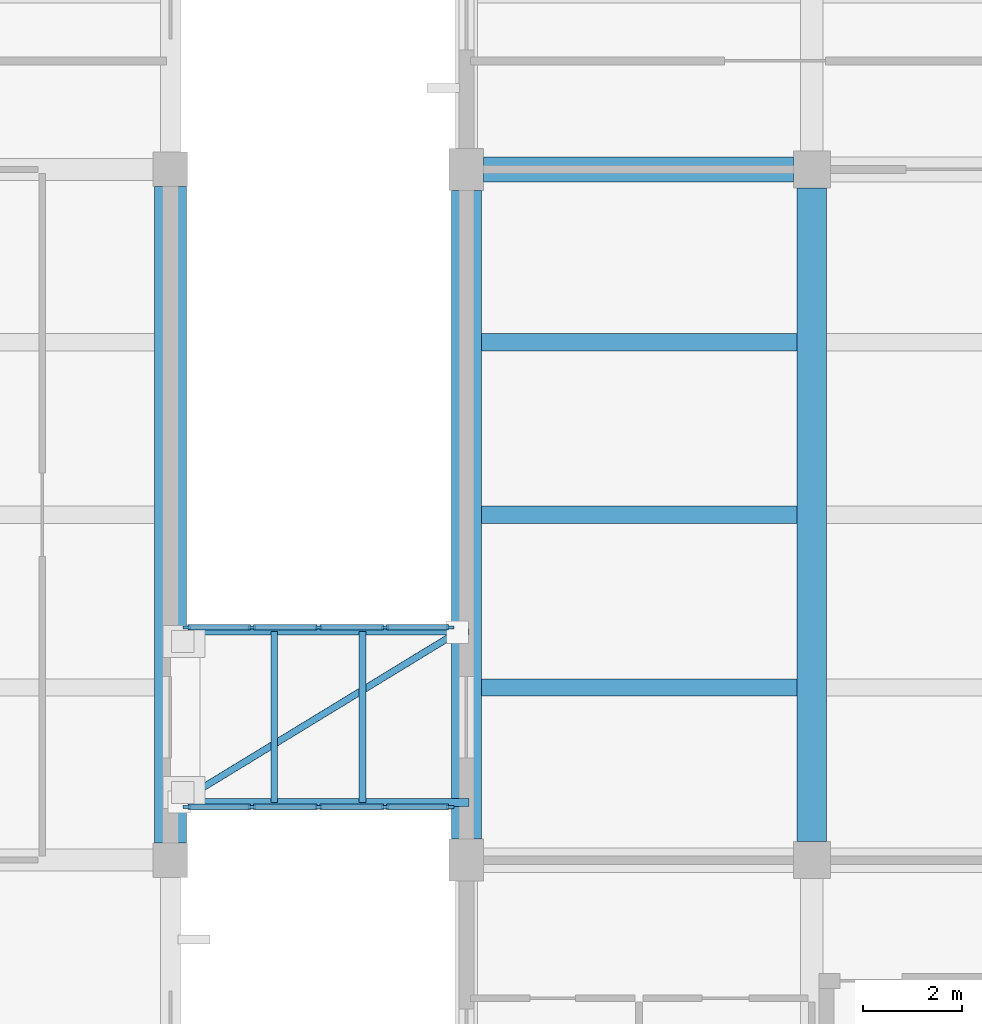
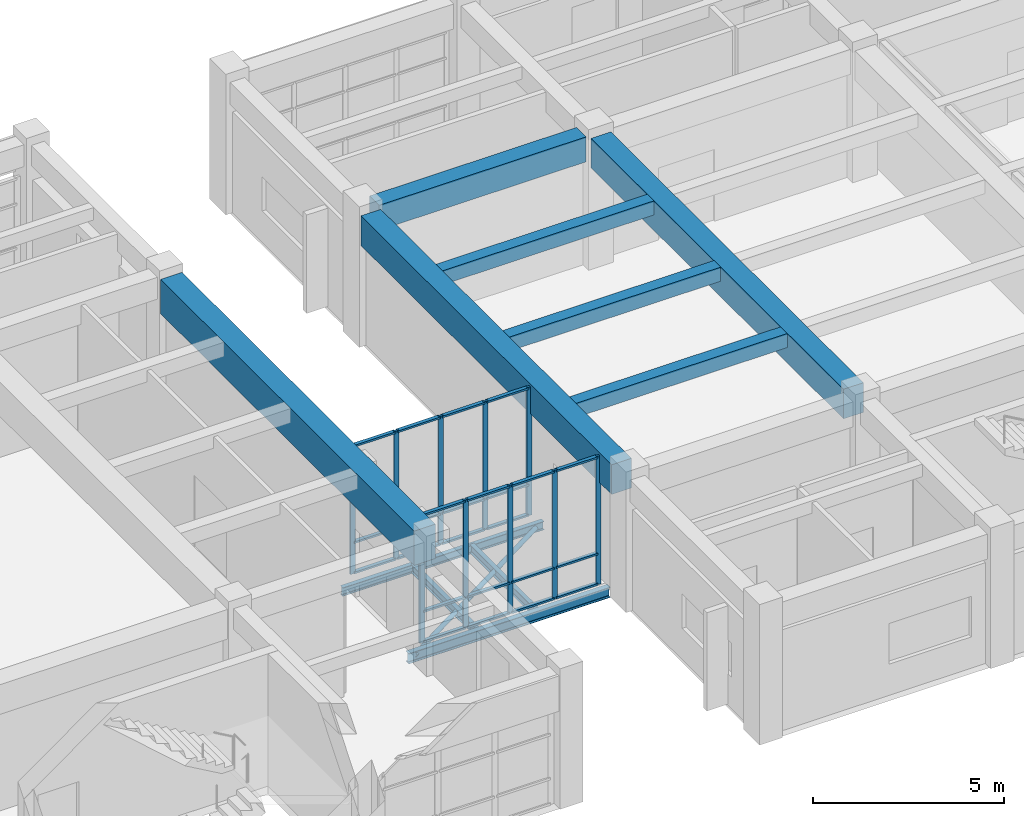
# One storey, part 15 of 70: 35 members, 11 beams, 2 elements without a shape of their own.
"""IFC4 building model written with IfcOpenShell, lengths in metres."""

from ifc_helpers import new_model, si_unit, direction, frame, origin, origin_2d, place, context, subcontext, project, spatial, rectangle, hollow_circle, i_section, extrude, material, layer, layer_set, material_profile, profile_set, type_object, element, aggregate, save


model = new_model("IFC4")

# Units and contexts
model_context = context("Model", 3, precision=1e-05, world=origin(), true_north=direction((0.0, 1.0)))
body_context = subcontext(model_context, "Body", "Model", "MODEL_VIEW")
ifc_project = project(units=[si_unit("LENGTHUNIT", "METRE"), si_unit("AREAUNIT", "SQUARE_METRE"), si_unit("VOLUMEUNIT", "CUBIC_METRE"), si_unit("PLANEANGLEUNIT", "RADIAN"), si_unit("MASSUNIT", "GRAM", prefix="KILO")], contexts=[model_context])

# Site, building, storey
site_placement = place(None, origin())
site = spatial("IfcSite", under=ifc_project, at=site_placement, CompositionType="ELEMENT")
building_placement = place(site_placement, origin())
building = spatial("IfcBuilding", under=site, at=building_placement, Name="Naurynzar Civic Courthouse", CompositionType="ELEMENT")
storey_placement = place(building_placement, frame((0.0, 0.0, 5.39990234375)))
storey = spatial("IfcBuildingStorey", under=building, at=storey_placement, Name="L02", CompositionType="ELEMENT", Elevation=5.39990234375)

# Beams
ifc_material_1 = material(Name="Concrete C40/50", Category="concrete")
ifc_material_profile_1 = material_profile(ifc_material_1, rectangle(XDim=0.60009765625, YDim=0.949951171875, at=origin_2d()), Name="PTB 600x950")
ifc_profile_set_1 = profile_set([ifc_material_profile_1], Name="Concrete C40/50")
beam_type_1 = type_object("IfcBeamType", Name="BM-PT-600x950", PredefinedType="T_BEAM", material=ifc_profile_set_1)
beam_1_placement = place(storey_placement, frame((62.0, 51.425048828125, 3.72509765625), z_axis=(0.0, 1.0, 0.0), x_axis=(-1.0, 0.0, 0.0)))
element("IfcBeam", 1, at=beam_1_placement, inside=storey, type_object=beam_type_1, Name="V2 girder Y-500 L02", PredefinedType="T_BEAM", context=body_context, shape_type="SweptSolid", body=[
    extrude(rectangle(XDim=0.60009765625, YDim=0.949951171875, at=origin_2d()), origin(), (0.0, 0.0, 1.0), 13.14990234375),
])
beam_2_placement = place(storey_placement, frame((69.0, 51.375, 3.72509765625), z_axis=(0.0, 1.0, 0.0), x_axis=(-1.0, 0.0, 0.0)))
element("IfcBeam", 2, at=beam_2_placement, inside=storey, type_object=beam_type_1, Name="V2 girder Y-503 L02", PredefinedType="T_BEAM", context=body_context, shape_type="SweptSolid", body=[
    extrude(rectangle(XDim=0.60009765625, YDim=0.949951171875, at=origin_2d()), origin(), (0.0, 0.0, 1.0), 13.25),
])
ifc_material_2 = material(Name="Concrete C40/50", Category="concrete")
ifc_material_profile_2 = material_profile(ifc_material_2, rectangle(XDim=0.64990234375, YDim=1.10009765625, at=origin_2d()), Name="PTB 650x1100")
ifc_profile_set_2 = profile_set([ifc_material_profile_2], Name="Concrete C40/50")
beam_type_2 = type_object("IfcBeamType", Name="BM-PT-650x1100", PredefinedType="T_BEAM", material=ifc_profile_set_2)
beam_3_placement = place(storey_placement, frame((56.0, 51.35009765625, 3.68017578125), z_axis=(0.0, 1.0, 0.0), x_axis=(-1.0, 0.0, 0.0)))
element("IfcBeam", 3, at=beam_3_placement, inside=storey, type_object=beam_type_2, Name="V1 girder Y-150 L02", PredefinedType="T_BEAM", context=body_context, shape_type="SweptSolid", body=[
    extrude(rectangle(XDim=0.64990234375, YDim=1.10009765625, at=origin_2d()), origin(), (0.0, 0.0, 1.0), 13.2998046875),
])
ifc_material_3 = material(Name="Concrete C40/50", Category="concrete")
ifc_material_profile_3 = material_profile(ifc_material_3, rectangle(XDim=0.35009765625, YDim=0.449951171875, at=origin_2d()), Name="RCB 350x450")
ifc_profile_set_3 = profile_set([ifc_material_profile_3], Name="Concrete C40/50")
beam_type_3 = type_object("IfcBeamType", Name="BM-RC-350x450", PredefinedType="BEAM", material=ifc_profile_set_3)
for number, where, z_axis, x_axis, name in (
    (4, (62.300048828125, 54.5, 3.97509765625), (1.0, 0.0, 0.0), (0.0, 1.0, 0.0), "V2 secondary rib 530 L02"),
    (5, (62.300048828125, 58.0, 3.97509765625), (1.0, 0.0, 0.0), (0.0, 1.0, 0.0), "V2 secondary rib 531 L02"),
    (6, (62.300048828125, 61.5, 3.97509765625), (1.0, 0.0, 0.0), (0.0, 1.0, 0.0), "V2 secondary rib 532 L02"),
):
    element("IfcBeam", number, at=place(storey_placement, frame(where, z_axis=z_axis, x_axis=x_axis)), inside=storey, type_object=beam_type_3, Name=name, PredefinedType="BEAM", context=body_context, shape_type="SweptSolid", body=[
        extrude(rectangle(XDim=0.35009765625, YDim=0.449951171875, at=origin_2d()), origin(), (0.0, 0.0, 1.0), 6.39990234375),
    ])
ifc_material_4 = material(Name="Concrete C40/50", Category="concrete")
ifc_material_profile_4 = material_profile(ifc_material_4, rectangle(XDim=0.5, YDim=0.800048828125, at=origin_2d()), Name="RCB 500x800")
ifc_profile_set_4 = profile_set([ifc_material_profile_4], Name="Concrete C40/50")
beam_type_4 = type_object("IfcBeamType", Name="BM-RC-500x800", PredefinedType="BEAM", material=ifc_profile_set_4)
beam_4_placement = place(storey_placement, frame((62.35009765625, 65.0, 3.800048828125), z_axis=(1.0, 0.0, 0.0), x_axis=(0.0, 1.0, 0.0)))
element("IfcBeam", 7, at=beam_4_placement, inside=storey, type_object=beam_type_4, Name="V2 beam X-483 L02", PredefinedType="BEAM", context=body_context, shape_type="SweptSolid", body=[
    extrude(rectangle(XDim=0.5, YDim=0.800048828125, at=origin_2d()), origin(), (0.0, 0.0, 1.0), 6.27490234375),
])
ifc_material_5 = material(Name="Steel S355", Category="steel")
ifc_material_profile_5 = material_profile(ifc_material_5, i_section(OverallWidth=0.135009765625, OverallDepth=0.27001953125, WebThickness=0.006591796875, FlangeThickness=0.01025390625, FilletRadius=0.014892578125, at=origin_2d()), Name="IPE 270")
ifc_profile_set_5 = profile_set([ifc_material_profile_5], Name="Steel S355")
beam_type_5 = type_object("IfcBeamType", Name="BM-STL-IPE270", PredefinedType="BEAM", material=ifc_profile_set_5)
beam_5_placement = place(storey_placement, frame((55.949951171875, 55.6298828125, -0.375), z_axis=(1.0, 0.0, 0.0), x_axis=(0.0, 1.0, 0.0)))
element("IfcBeam", 8, at=beam_5_placement, inside=storey, type_object=beam_type_5, Name="BR-N1 edge steel beam L02.2", PredefinedType="BEAM", context=body_context, shape_type="SweptSolid", body=[
    extrude(i_section(OverallWidth=0.135009765625, OverallDepth=0.27001953125, WebThickness=0.006591796875, FlangeThickness=0.01025390625, FilletRadius=0.014892578125, at=origin_2d()), origin(), (0.0, 0.0, 1.0), 6.10009765625),
])
for number, where, z_axis, x_axis, name in (
    (9, (58.10595703125, 52.169921875, -0.375), (0.0, 1.0, 0.0), (-1.0, 0.0, 0.0), "BR-N1 deck cross-beam L02.1"),
    (10, (59.89404296875, 52.169921875, -0.375), (0.0, 1.0, 0.0), (-1.0, 0.0, 0.0), "BR-N1 deck cross-beam L02.2"),
):
    element("IfcBeam", number, at=place(storey_placement, frame(where, z_axis=z_axis, x_axis=x_axis)), inside=storey, type_object=beam_type_5, Name=name, PredefinedType="BEAM", context=body_context, shape_type="SweptSolid", body=[
        extrude(i_section(OverallWidth=0.135009765625, OverallDepth=0.27001953125, WebThickness=0.006591796875, FlangeThickness=0.01025390625, FilletRadius=0.014892578125, at=origin_2d()), origin(), (0.0, 0.0, 1.0), 3.4599609375),
    ])
ifc_material_6 = material(Name="Steel S355", Category="steel")
ifc_material_profile_6 = material_profile(ifc_material_6, i_section(OverallWidth=0.159912109375, OverallDepth=0.330078125, WebThickness=0.007568359375, FlangeThickness=0.011474609375, FilletRadius=0.01806640625, at=origin_2d()), Name="IPE 330")
ifc_profile_set_6 = profile_set([ifc_material_profile_6], Name="Steel S355")
beam_type_6 = type_object("IfcBeamType", Name="BM-STL-IPE330", PredefinedType="BEAM", material=ifc_profile_set_6)
beam_6_placement = place(storey_placement, frame((55.949951171875, 52.169921875, -0.40478515625), z_axis=(1.0, 0.0, 0.0), x_axis=(0.0, 1.0, 0.0)))
element("IfcBeam", 11, at=beam_6_placement, inside=storey, type_object=beam_type_6, Name="BR-N1 edge steel beam L02.1", PredefinedType="BEAM", context=body_context, shape_type="SweptSolid", body=[
    extrude(i_section(OverallWidth=0.159912109375, OverallDepth=0.330078125, WebThickness=0.007568359375, FlangeThickness=0.011474609375, FilletRadius=0.01806640625, at=origin_2d()), origin(), (0.0, 0.0, 1.0), 6.10009765625),
])

# Curtain wall, members
ifc_material_7 = material(Name="Aluminium 6063-T6", Category="aluminium")
ifc_layer = layer(ifc_material_7, 0.14990234375)
ifc_layer_set = layer_set([ifc_layer], Name="CW-BRIDGE-1500")
curtain_wall_type = type_object("IfcCurtainWallType", Name="CW-BRIDGE-1500", PredefinedType="USERDEFINED", material=ifc_layer_set)
curtain_wall_1_placement = place(storey_placement, origin())
curtain_wall_1 = element("IfcCurtainWall", 12, at=curtain_wall_1_placement, inside=storey, type_object=curtain_wall_type, Name="BR-N1 glazed bridge screen L02.1", ObjectType="GLAZED BRIDGE SCREEN", PredefinedType="USERDEFINED")
ifc_material_8 = material(Name="Aluminium 6063-T6", Category="aluminium")
ifc_material_profile_7 = material_profile(ifc_material_8, rectangle(XDim=0.06005859375, YDim=0.14990234375, at=origin_2d()), Name="ALU MULLION 60x150")
ifc_profile_set_7 = profile_set([ifc_material_profile_7], Name="Aluminium 6063-T6")
member_type_1 = type_object("IfcMemberType", Name="CWM-60x150", PredefinedType="MULLION", material=ifc_profile_set_7)
member_1_placement = place(storey_placement, frame((56.330078125, 52.080078125, 0.0), z_axis=(0.0, 0.0, 1.0), x_axis=(0.0, 1.0, 0.0)))
member_1 = element("IfcMember", 13, at=member_1_placement, type_object=member_type_1, Name="CW-03 mullion 1", PredefinedType="MULLION", context=body_context, shape_type="SweptSolid", body=[
    extrude(rectangle(XDim=0.06005859375, YDim=0.14990234375, at=origin_2d()), origin(), (0.0, 0.0, 1.0), 4.1201171875),
])
member_2_placement = place(storey_placement, frame((57.64990234375, 52.080078125, 0.0), z_axis=(0.0, 0.0, 1.0), x_axis=(0.0, 1.0, 0.0)))
member_2 = element("IfcMember", 14, at=member_2_placement, type_object=member_type_1, Name="CW-03 mullion 2", PredefinedType="MULLION", context=body_context, shape_type="SweptSolid", body=[
    extrude(rectangle(XDim=0.06005859375, YDim=0.14990234375, at=origin_2d()), origin(), (0.0, 0.0, 1.0), 4.1201171875),
])
member_3_placement = place(storey_placement, frame((59.0, 52.080078125, 0.0), z_axis=(0.0, 0.0, 1.0), x_axis=(0.0, 1.0, 0.0)))
member_3 = element("IfcMember", 15, at=member_3_placement, type_object=member_type_1, Name="CW-03 mullion 3", PredefinedType="MULLION", context=body_context, shape_type="SweptSolid", body=[
    extrude(rectangle(XDim=0.06005859375, YDim=0.14990234375, at=origin_2d()), origin(), (0.0, 0.0, 1.0), 4.1201171875),
])
member_4_placement = place(storey_placement, frame((60.35009765625, 52.080078125, 0.0), z_axis=(0.0, 0.0, 1.0), x_axis=(0.0, 1.0, 0.0)))
member_4 = element("IfcMember", 16, at=member_4_placement, type_object=member_type_1, Name="CW-03 mullion 4", PredefinedType="MULLION", context=body_context, shape_type="SweptSolid", body=[
    extrude(rectangle(XDim=0.06005859375, YDim=0.14990234375, at=origin_2d()), origin(), (0.0, 0.0, 1.0), 4.1201171875),
])
member_5_placement = place(storey_placement, frame((61.669921875, 52.080078125, 0.0), z_axis=(0.0, 0.0, 1.0), x_axis=(0.0, 1.0, 0.0)))
member_5 = element("IfcMember", 17, at=member_5_placement, type_object=member_type_1, Name="CW-03 mullion 5", PredefinedType="MULLION", context=body_context, shape_type="SweptSolid", body=[
    extrude(rectangle(XDim=0.06005859375, YDim=0.14990234375, at=origin_2d()), origin(), (0.0, 0.0, 1.0), 4.1201171875),
])

curtain_wall_2_placement = place(storey_placement, origin())
curtain_wall_2 = element("IfcCurtainWall", 18, at=curtain_wall_2_placement, inside=storey, type_object=curtain_wall_type, Name="BR-N1 glazed bridge screen L02.2", ObjectType="GLAZED BRIDGE SCREEN", PredefinedType="USERDEFINED")
member_6_placement = place(storey_placement, frame((61.669921875, 55.719970703125, 0.0), z_axis=(0.0, 0.0, 1.0), x_axis=(0.0, -1.0, 0.0)))
member_6 = element("IfcMember", 19, at=member_6_placement, type_object=member_type_1, Name="CW-03 mullion 1", PredefinedType="MULLION", context=body_context, shape_type="SweptSolid", body=[
    extrude(rectangle(XDim=0.06005859375, YDim=0.14990234375, at=origin_2d()), origin(), (0.0, 0.0, 1.0), 4.1201171875),
])
member_7_placement = place(storey_placement, frame((60.35009765625, 55.719970703125, 0.0), z_axis=(0.0, 0.0, 1.0), x_axis=(0.0, -1.0, 0.0)))
member_7 = element("IfcMember", 20, at=member_7_placement, type_object=member_type_1, Name="CW-03 mullion 2", PredefinedType="MULLION", context=body_context, shape_type="SweptSolid", body=[
    extrude(rectangle(XDim=0.06005859375, YDim=0.14990234375, at=origin_2d()), origin(), (0.0, 0.0, 1.0), 4.1201171875),
])
member_8_placement = place(storey_placement, frame((59.0, 55.719970703125, 0.0), z_axis=(0.0, 0.0, 1.0), x_axis=(0.0, -1.0, 0.0)))
member_8 = element("IfcMember", 21, at=member_8_placement, type_object=member_type_1, Name="CW-03 mullion 3", PredefinedType="MULLION", context=body_context, shape_type="SweptSolid", body=[
    extrude(rectangle(XDim=0.06005859375, YDim=0.14990234375, at=origin_2d()), origin(), (0.0, 0.0, 1.0), 4.1201171875),
])
member_9_placement = place(storey_placement, frame((57.64990234375, 55.719970703125, 0.0), z_axis=(0.0, 0.0, 1.0), x_axis=(0.0, -1.0, 0.0)))
member_9 = element("IfcMember", 22, at=member_9_placement, type_object=member_type_1, Name="CW-03 mullion 4", PredefinedType="MULLION", context=body_context, shape_type="SweptSolid", body=[
    extrude(rectangle(XDim=0.06005859375, YDim=0.14990234375, at=origin_2d()), origin(), (0.0, 0.0, 1.0), 4.1201171875),
])
member_10_placement = place(storey_placement, frame((56.330078125, 55.719970703125, 0.0), z_axis=(0.0, 0.0, 1.0), x_axis=(0.0, -1.0, 0.0)))
member_10 = element("IfcMember", 23, at=member_10_placement, type_object=member_type_1, Name="CW-03 mullion 5", PredefinedType="MULLION", context=body_context, shape_type="SweptSolid", body=[
    extrude(rectangle(XDim=0.06005859375, YDim=0.14990234375, at=origin_2d()), origin(), (0.0, 0.0, 1.0), 4.1201171875),
])

# Member
ifc_material_9 = material(Name="Aluminium 6063-T6", Category="aluminium")
ifc_material_profile_8 = material_profile(ifc_material_9, rectangle(XDim=0.110107421875, YDim=0.06005859375, at=origin_2d()), Name="ALU TRANSOM 60x110")
ifc_profile_set_8 = profile_set([ifc_material_profile_8], Name="Aluminium 6063-T6")
member_type_2 = type_object("IfcMemberType", Name="CWT-60x110", PredefinedType="USERDEFINED", material=ifc_profile_set_8)
member_11_placement = place(storey_placement, frame((56.360107421875, 52.080078125, 0.030029296875), z_axis=(1.0, 0.0, 0.0), x_axis=(0.0, 1.0, 0.0)))
member_11 = element("IfcMember", 24, at=member_11_placement, type_object=member_type_2, Name="CW-03 transom 1.1", ObjectType="TRANSOM", PredefinedType="USERDEFINED", context=body_context, shape_type="SweptSolid", body=[
    extrude(rectangle(XDim=0.110107421875, YDim=0.06005859375, at=origin_2d()), origin(), (0.0, 0.0, 1.0), 1.260009765625),
])

member_12_placement = place(storey_placement, frame((56.360107421875, 52.080078125, 1.0), z_axis=(1.0, 0.0, 0.0), x_axis=(0.0, 1.0, 0.0)))
member_12 = element("IfcMember", 25, at=member_12_placement, type_object=member_type_2, Name="CW-03 transom 1.2", ObjectType="TRANSOM", PredefinedType="USERDEFINED", context=body_context, shape_type="SweptSolid", body=[
    extrude(rectangle(XDim=0.110107421875, YDim=0.06005859375, at=origin_2d()), origin(), (0.0, 0.0, 1.0), 1.260009765625),
])

member_13_placement = place(storey_placement, frame((56.360107421875, 52.080078125, 4.090087890625), z_axis=(1.0, 0.0, 0.0), x_axis=(0.0, 1.0, 0.0)))
member_13 = element("IfcMember", 26, at=member_13_placement, type_object=member_type_2, Name="CW-03 transom 1.3", ObjectType="TRANSOM", PredefinedType="USERDEFINED", context=body_context, shape_type="SweptSolid", body=[
    extrude(rectangle(XDim=0.110107421875, YDim=0.06005859375, at=origin_2d()), origin(), (0.0, 0.0, 1.0), 1.260009765625),
])

member_14_placement = place(storey_placement, frame((57.679931640625, 52.080078125, 0.030029296875), z_axis=(1.0, 0.0, 0.0), x_axis=(0.0, 1.0, 0.0)))
member_14 = element("IfcMember", 27, at=member_14_placement, type_object=member_type_2, Name="CW-03 transom 2.1", ObjectType="TRANSOM", PredefinedType="USERDEFINED", context=body_context, shape_type="SweptSolid", body=[
    extrude(rectangle(XDim=0.110107421875, YDim=0.06005859375, at=origin_2d()), origin(), (0.0, 0.0, 1.0), 1.2900390625),
])

member_15_placement = place(storey_placement, frame((57.679931640625, 52.080078125, 1.0), z_axis=(1.0, 0.0, 0.0), x_axis=(0.0, 1.0, 0.0)))
member_15 = element("IfcMember", 28, at=member_15_placement, type_object=member_type_2, Name="CW-03 transom 2.2", ObjectType="TRANSOM", PredefinedType="USERDEFINED", context=body_context, shape_type="SweptSolid", body=[
    extrude(rectangle(XDim=0.110107421875, YDim=0.06005859375, at=origin_2d()), origin(), (0.0, 0.0, 1.0), 1.2900390625),
])

member_16_placement = place(storey_placement, frame((57.679931640625, 52.080078125, 4.090087890625), z_axis=(1.0, 0.0, 0.0), x_axis=(0.0, 1.0, 0.0)))
member_16 = element("IfcMember", 29, at=member_16_placement, type_object=member_type_2, Name="CW-03 transom 2.3", ObjectType="TRANSOM", PredefinedType="USERDEFINED", context=body_context, shape_type="SweptSolid", body=[
    extrude(rectangle(XDim=0.110107421875, YDim=0.06005859375, at=origin_2d()), origin(), (0.0, 0.0, 1.0), 1.2900390625),
])

member_17_placement = place(storey_placement, frame((59.030029296875, 52.080078125, 0.030029296875), z_axis=(1.0, 0.0, 0.0), x_axis=(0.0, 1.0, 0.0)))
member_17 = element("IfcMember", 30, at=member_17_placement, type_object=member_type_2, Name="CW-03 transom 3.1", ObjectType="TRANSOM", PredefinedType="USERDEFINED", context=body_context, shape_type="SweptSolid", body=[
    extrude(rectangle(XDim=0.110107421875, YDim=0.06005859375, at=origin_2d()), origin(), (0.0, 0.0, 1.0), 1.2900390625),
])

member_18_placement = place(storey_placement, frame((59.030029296875, 52.080078125, 1.0), z_axis=(1.0, 0.0, 0.0), x_axis=(0.0, 1.0, 0.0)))
member_18 = element("IfcMember", 31, at=member_18_placement, type_object=member_type_2, Name="CW-03 transom 3.2", ObjectType="TRANSOM", PredefinedType="USERDEFINED", context=body_context, shape_type="SweptSolid", body=[
    extrude(rectangle(XDim=0.110107421875, YDim=0.06005859375, at=origin_2d()), origin(), (0.0, 0.0, 1.0), 1.2900390625),
])

member_19_placement = place(storey_placement, frame((59.030029296875, 52.080078125, 4.090087890625), z_axis=(1.0, 0.0, 0.0), x_axis=(0.0, 1.0, 0.0)))
member_19 = element("IfcMember", 32, at=member_19_placement, type_object=member_type_2, Name="CW-03 transom 3.3", ObjectType="TRANSOM", PredefinedType="USERDEFINED", context=body_context, shape_type="SweptSolid", body=[
    extrude(rectangle(XDim=0.110107421875, YDim=0.06005859375, at=origin_2d()), origin(), (0.0, 0.0, 1.0), 1.2900390625),
])

member_20_placement = place(storey_placement, frame((60.3798828125, 52.080078125, 0.030029296875), z_axis=(1.0, 0.0, 0.0), x_axis=(0.0, 1.0, 0.0)))
member_20 = element("IfcMember", 33, at=member_20_placement, type_object=member_type_2, Name="CW-03 transom 4.1", ObjectType="TRANSOM", PredefinedType="USERDEFINED", context=body_context, shape_type="SweptSolid", body=[
    extrude(rectangle(XDim=0.110107421875, YDim=0.06005859375, at=origin_2d()), origin(), (0.0, 0.0, 1.0), 1.260009765625),
])

member_21_placement = place(storey_placement, frame((60.3798828125, 52.080078125, 1.0), z_axis=(1.0, 0.0, 0.0), x_axis=(0.0, 1.0, 0.0)))
member_21 = element("IfcMember", 34, at=member_21_placement, type_object=member_type_2, Name="CW-03 transom 4.2", ObjectType="TRANSOM", PredefinedType="USERDEFINED", context=body_context, shape_type="SweptSolid", body=[
    extrude(rectangle(XDim=0.110107421875, YDim=0.06005859375, at=origin_2d()), origin(), (0.0, 0.0, 1.0), 1.260009765625),
])

member_22_placement = place(storey_placement, frame((60.3798828125, 52.080078125, 4.090087890625), z_axis=(1.0, 0.0, 0.0), x_axis=(0.0, 1.0, 0.0)))
member_22 = element("IfcMember", 35, at=member_22_placement, type_object=member_type_2, Name="CW-03 transom 4.3", ObjectType="TRANSOM", PredefinedType="USERDEFINED", context=body_context, shape_type="SweptSolid", body=[
    extrude(rectangle(XDim=0.110107421875, YDim=0.06005859375, at=origin_2d()), origin(), (0.0, 0.0, 1.0), 1.260009765625),
])

aggregate(curtain_wall_1, [member_1, member_2, member_3, member_4, member_5, member_11, member_12, member_13, member_14, member_15, member_16, member_17, member_18, member_19, member_20, member_21, member_22])

member_23_placement = place(storey_placement, frame((61.639892578125, 55.719970703125, 0.030029296875), z_axis=(-1.0, 0.0, 0.0), x_axis=(0.0, -1.0, 0.0)))
member_23 = element("IfcMember", 36, at=member_23_placement, type_object=member_type_2, Name="CW-03 transom 1.1", ObjectType="TRANSOM", PredefinedType="USERDEFINED", context=body_context, shape_type="SweptSolid", body=[
    extrude(rectangle(XDim=0.110107421875, YDim=0.06005859375, at=origin_2d()), origin(), (0.0, 0.0, 1.0), 1.260009765625),
])

member_24_placement = place(storey_placement, frame((61.639892578125, 55.719970703125, 1.0), z_axis=(-1.0, 0.0, 0.0), x_axis=(0.0, -1.0, 0.0)))
member_24 = element("IfcMember", 37, at=member_24_placement, type_object=member_type_2, Name="CW-03 transom 1.2", ObjectType="TRANSOM", PredefinedType="USERDEFINED", context=body_context, shape_type="SweptSolid", body=[
    extrude(rectangle(XDim=0.110107421875, YDim=0.06005859375, at=origin_2d()), origin(), (0.0, 0.0, 1.0), 1.260009765625),
])

member_25_placement = place(storey_placement, frame((61.639892578125, 55.719970703125, 4.090087890625), z_axis=(-1.0, 0.0, 0.0), x_axis=(0.0, -1.0, 0.0)))
member_25 = element("IfcMember", 38, at=member_25_placement, type_object=member_type_2, Name="CW-03 transom 1.3", ObjectType="TRANSOM", PredefinedType="USERDEFINED", context=body_context, shape_type="SweptSolid", body=[
    extrude(rectangle(XDim=0.110107421875, YDim=0.06005859375, at=origin_2d()), origin(), (0.0, 0.0, 1.0), 1.260009765625),
])

member_26_placement = place(storey_placement, frame((60.320068359375, 55.719970703125, 0.030029296875), z_axis=(-1.0, 0.0, 0.0), x_axis=(0.0, -1.0, 0.0)))
member_26 = element("IfcMember", 39, at=member_26_placement, type_object=member_type_2, Name="CW-03 transom 2.1", ObjectType="TRANSOM", PredefinedType="USERDEFINED", context=body_context, shape_type="SweptSolid", body=[
    extrude(rectangle(XDim=0.110107421875, YDim=0.06005859375, at=origin_2d()), origin(), (0.0, 0.0, 1.0), 1.2900390625),
])

member_27_placement = place(storey_placement, frame((60.320068359375, 55.719970703125, 1.0), z_axis=(-1.0, 0.0, 0.0), x_axis=(0.0, -1.0, 0.0)))
member_27 = element("IfcMember", 40, at=member_27_placement, type_object=member_type_2, Name="CW-03 transom 2.2", ObjectType="TRANSOM", PredefinedType="USERDEFINED", context=body_context, shape_type="SweptSolid", body=[
    extrude(rectangle(XDim=0.110107421875, YDim=0.06005859375, at=origin_2d()), origin(), (0.0, 0.0, 1.0), 1.2900390625),
])

member_28_placement = place(storey_placement, frame((60.320068359375, 55.719970703125, 4.090087890625), z_axis=(-1.0, 0.0, 0.0), x_axis=(0.0, -1.0, 0.0)))
member_28 = element("IfcMember", 41, at=member_28_placement, type_object=member_type_2, Name="CW-03 transom 2.3", ObjectType="TRANSOM", PredefinedType="USERDEFINED", context=body_context, shape_type="SweptSolid", body=[
    extrude(rectangle(XDim=0.110107421875, YDim=0.06005859375, at=origin_2d()), origin(), (0.0, 0.0, 1.0), 1.2900390625),
])

member_29_placement = place(storey_placement, frame((58.969970703125, 55.719970703125, 0.030029296875), z_axis=(-1.0, 0.0, 0.0), x_axis=(0.0, -1.0, 0.0)))
member_29 = element("IfcMember", 42, at=member_29_placement, type_object=member_type_2, Name="CW-03 transom 3.1", ObjectType="TRANSOM", PredefinedType="USERDEFINED", context=body_context, shape_type="SweptSolid", body=[
    extrude(rectangle(XDim=0.110107421875, YDim=0.06005859375, at=origin_2d()), origin(), (0.0, 0.0, 1.0), 1.2900390625),
])

member_30_placement = place(storey_placement, frame((58.969970703125, 55.719970703125, 1.0), z_axis=(-1.0, 0.0, 0.0), x_axis=(0.0, -1.0, 0.0)))
member_30 = element("IfcMember", 43, at=member_30_placement, type_object=member_type_2, Name="CW-03 transom 3.2", ObjectType="TRANSOM", PredefinedType="USERDEFINED", context=body_context, shape_type="SweptSolid", body=[
    extrude(rectangle(XDim=0.110107421875, YDim=0.06005859375, at=origin_2d()), origin(), (0.0, 0.0, 1.0), 1.2900390625),
])

member_31_placement = place(storey_placement, frame((58.969970703125, 55.719970703125, 4.090087890625), z_axis=(-1.0, 0.0, 0.0), x_axis=(0.0, -1.0, 0.0)))
member_31 = element("IfcMember", 44, at=member_31_placement, type_object=member_type_2, Name="CW-03 transom 3.3", ObjectType="TRANSOM", PredefinedType="USERDEFINED", context=body_context, shape_type="SweptSolid", body=[
    extrude(rectangle(XDim=0.110107421875, YDim=0.06005859375, at=origin_2d()), origin(), (0.0, 0.0, 1.0), 1.2900390625),
])

member_32_placement = place(storey_placement, frame((57.6201171875, 55.719970703125, 0.030029296875), z_axis=(-1.0, 0.0, 0.0), x_axis=(0.0, -1.0, 0.0)))
member_32 = element("IfcMember", 45, at=member_32_placement, type_object=member_type_2, Name="CW-03 transom 4.1", ObjectType="TRANSOM", PredefinedType="USERDEFINED", context=body_context, shape_type="SweptSolid", body=[
    extrude(rectangle(XDim=0.110107421875, YDim=0.06005859375, at=origin_2d()), origin(), (0.0, 0.0, 1.0), 1.260009765625),
])

member_33_placement = place(storey_placement, frame((57.6201171875, 55.719970703125, 1.0), z_axis=(-1.0, 0.0, 0.0), x_axis=(0.0, -1.0, 0.0)))
member_33 = element("IfcMember", 46, at=member_33_placement, type_object=member_type_2, Name="CW-03 transom 4.2", ObjectType="TRANSOM", PredefinedType="USERDEFINED", context=body_context, shape_type="SweptSolid", body=[
    extrude(rectangle(XDim=0.110107421875, YDim=0.06005859375, at=origin_2d()), origin(), (0.0, 0.0, 1.0), 1.260009765625),
])

member_34_placement = place(storey_placement, frame((57.6201171875, 55.719970703125, 4.090087890625), z_axis=(-1.0, 0.0, 0.0), x_axis=(0.0, -1.0, 0.0)))
member_34 = element("IfcMember", 47, at=member_34_placement, type_object=member_type_2, Name="CW-03 transom 4.3", ObjectType="TRANSOM", PredefinedType="USERDEFINED", context=body_context, shape_type="SweptSolid", body=[
    extrude(rectangle(XDim=0.110107421875, YDim=0.06005859375, at=origin_2d()), origin(), (0.0, 0.0, 1.0), 1.260009765625),
])

aggregate(curtain_wall_2, [member_6, member_7, member_8, member_9, member_10, member_23, member_24, member_25, member_26, member_27, member_28, member_29, member_30, member_31, member_32, member_33, member_34])

ifc_material_10 = material(Name="Steel S355", Category="steel")
ifc_material_profile_9 = material_profile(ifc_material_10, hollow_circle(Radius=0.06982421875, WallThickness=0.008056640625, at=origin_2d()), Name="CHS 139.7x8")
ifc_profile_set_9 = profile_set([ifc_material_profile_9], Name="Steel S355")
member_type_3 = type_object("IfcMemberType", Name="MEM-BRACE-CHS139", PredefinedType="BRACE", material=ifc_profile_set_9)
member_35_placement = place(storey_placement, frame((56.179931640625, 52.179931640625, -0.40478515625), z_axis=(0.853723652651, 0.520726343585, 0.0), x_axis=(-0.520726343585, 0.853723652651, 0.0)))
element("IfcMember", 48, at=member_35_placement, inside=storey, type_object=member_type_3, Name="BR-N1 wind brace L02.1", PredefinedType="BRACE", context=body_context, shape_type="SweptSolid", body=[
    extrude(hollow_circle(Radius=0.06982421875, WallThickness=0.008056640625, at=origin_2d()), origin(), (0.0, 0.0, 1.0), 6.6064453125),
])

save(model, "model.ifc")
